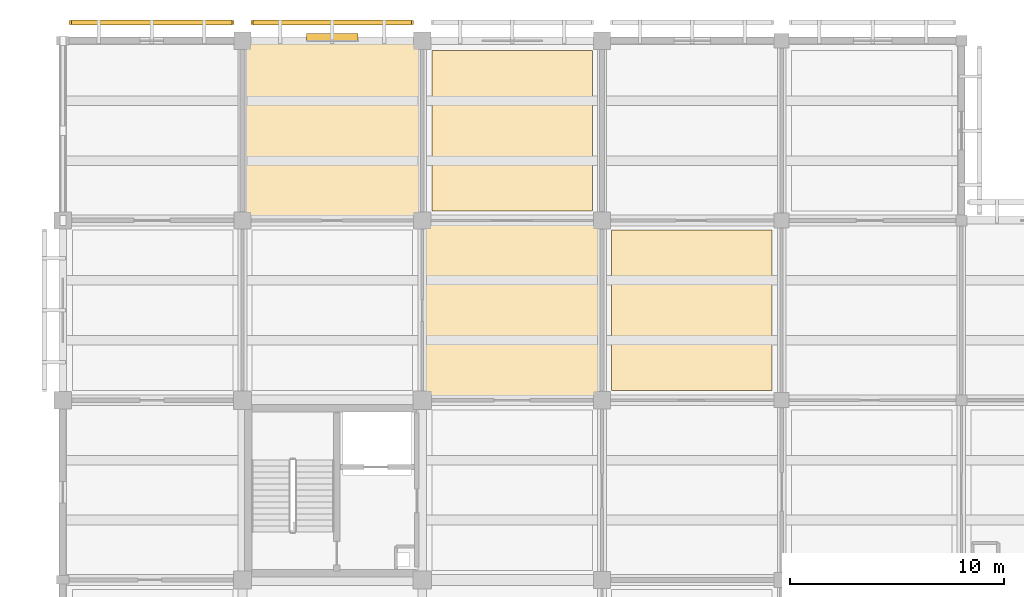
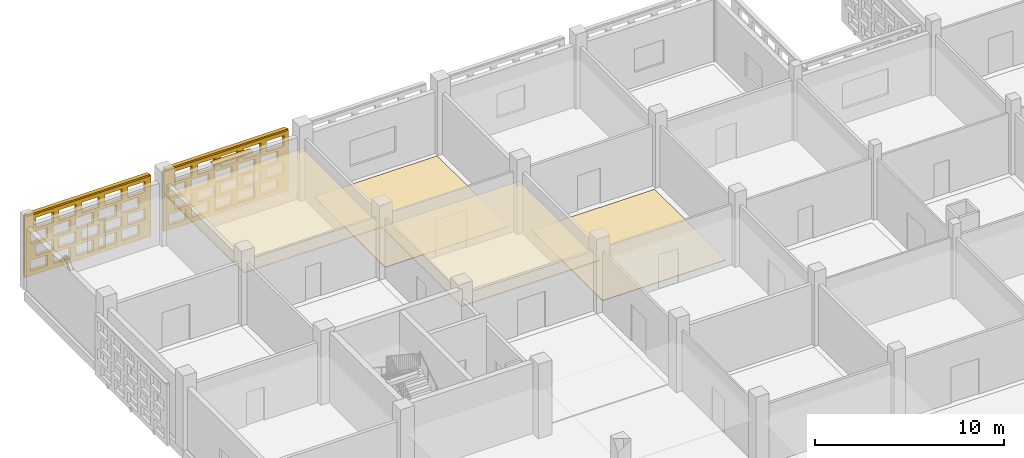
# One storey, part 100 of 129: 6 coverings, 3 shading devices, 40 openings.
"""IFC4 building model written with IfcOpenShell, lengths in metres."""

import ifcopenshell
import ifcopenshell.guid

model = None  # the IFC model being written
_history = None  # IfcOwnerHistory: only IFC2X3 demands one
_inside = {}  # id of a spatial element -> (the spatial element, [elements in it])
_under = {}  # id of a project, library or spatial element -> (it, [spatial elements below it])
_declared = {}  # id of a project -> (the project, [libraries it declares])
_typed = {}  # id of a type object -> (the type object, [elements of that type])
_made_of = {}  # id of a material, layer set ... -> (it, [elements and type objects made of it])


def new_model(schema):
    """Start an empty IFC model of exactly this schema.

    Asked for "IFC4X3", IfcOpenShell would pick the latest addendum, in which some entities
    have other attributes; the version numbers below select the first issue.
    IFC2X3 requires an IfcOwnerHistory on every rooted entity: one is made here for all.
    """
    global model, _history
    if schema == "IFC4X3":
        model = ifcopenshell.file(schema_version=(4, 3, 0, 0))
    else:
        model = ifcopenshell.file(schema=schema)
    _inside.clear()
    _under.clear()
    _declared.clear()
    _typed.clear()
    _made_of.clear()
    _history = None
    if model.schema == "IFC2X3":
        org = make("IfcOrganization", Name="unknown")
        user = make(
            "IfcPersonAndOrganization",
            ThePerson=make("IfcPerson", FamilyName="unknown"),
            TheOrganization=org,
        )
        app = make(
            "IfcApplication",
            ApplicationDeveloper=org,
            Version="unknown",
            ApplicationFullName="unknown",
            ApplicationIdentifier="unknown",
        )
        _history = make(
            "IfcOwnerHistory",
            OwningUser=user,
            OwningApplication=app,
            ChangeAction="ADDED",
            CreationDate=0,
        )
    return model


def make(cls, **values):
    """One entity of the class cls with the attributes given. An attribute that is None is left unset."""
    return model.create_entity(
        cls, **{name: value for name, value in values.items() if value is not None}
    )


def rooted(cls, **values):
    """An entity with a GlobalId (a new one), such as an element, a storey or a relation."""
    return make(cls, GlobalId=ifcopenshell.guid.new(), OwnerHistory=_history, **values)


def si_unit(unit_type, name, prefix=None):
    """IfcSIUnit, for example si_unit("LENGTHUNIT", "METRE", prefix="MILLI")."""
    return make("IfcSIUnit", UnitType=unit_type, Prefix=prefix, Name=name)


def assignment(units):
    """IfcUnitAssignment: the units of a project."""
    return None if units is None else make("IfcUnitAssignment", Units=units)


def point(xyz):
    """IfcCartesianPoint."""
    return None if xyz is None else make("IfcCartesianPoint", Coordinates=xyz)


def direction(xyz):
    """IfcDirection."""
    return None if xyz is None else make("IfcDirection", DirectionRatios=xyz)


def frame(location, z_axis=None, x_axis=None):
    """IfcAxis2Placement3D, a coordinate frame: its origin and axes. An axis left out is left unset."""
    return make(
        "IfcAxis2Placement3D",
        Location=point(location),
        Axis=direction(z_axis),
        RefDirection=direction(x_axis),
    )


def frame_2d(location, x_axis=None):
    """IfcAxis2Placement2D, a coordinate frame in the plane: its origin and x axis."""
    return make(
        "IfcAxis2Placement2D", Location=point(location), RefDirection=direction(x_axis)
    )


def origin():
    """The frame at (0, 0, 0) with its axes left unset."""
    return frame((0.0, 0.0, 0.0))


def origin_2d():
    """The frame at (0, 0) in the plane with its x axis left unset."""
    return frame_2d((0.0, 0.0))


def place(relative_to, where):
    """IfcLocalPlacement: puts the frame where relative to a parent placement (None: the world)."""
    return make(
        "IfcLocalPlacement", PlacementRelTo=relative_to, RelativePlacement=where
    )


def context(
    kind, dimensions, precision=None, world=None, true_north=None, identifier=None
):
    """IfcGeometricRepresentationContext, for example the 3D "Model" context."""
    return make(
        "IfcGeometricRepresentationContext",
        ContextIdentifier=identifier,
        ContextType=kind,
        CoordinateSpaceDimension=dimensions,
        Precision=precision,
        WorldCoordinateSystem=world,
        TrueNorth=true_north,
    )


def subcontext(parent, identifier, kind, view, scale=None):
    """IfcGeometricRepresentationSubContext, for example "Body" below "Model"."""
    return make(
        "IfcGeometricRepresentationSubContext",
        ContextIdentifier=identifier,
        ContextType=kind,
        ParentContext=parent,
        TargetScale=scale,
        TargetView=view,
    )


def project(units=None, contexts=None):
    """IfcProject with its units and contexts."""
    return rooted(
        "IfcProject",
        Name="project",
        RepresentationContexts=contexts,
        UnitsInContext=assignment(units),
    )


def spatial(cls, under=None, at=None, **own):
    """A site, building, storey or space (cls), placed at a placement, below another one or the project."""
    s = rooted(cls, ObjectPlacement=at, **own)
    if under is not None:
        _under.setdefault(under.id(), (under, []))[1].append(s)
    return s


def profile(cls, at=None, kind="AREA", **sizes):
    """A parametric profile (cls). Its sizes go by their IFC names, for example OverallWidth=200.0."""
    return make(cls, ProfileType=kind, Position=at, **sizes)


def rectangle(**sizes):
    """IfcRectangleProfileDef."""
    return profile("IfcRectangleProfileDef", **sizes)


def extrude(swept, where, along, depth):
    """IfcExtrudedAreaSolid: the profile swept, set in the frame where, extruded along a direction by depth."""
    return make(
        "IfcExtrudedAreaSolid",
        SweptArea=swept,
        Position=where,
        ExtrudedDirection=direction(along),
        Depth=depth,
    )


def shape(context_of_items, identifier, shape_type, items):
    """IfcShapeRepresentation: the items that make up one representation, for example the "Body"."""
    return make(
        "IfcShapeRepresentation",
        ContextOfItems=context_of_items,
        RepresentationIdentifier=identifier,
        RepresentationType=shape_type,
        Items=items,
    )


def material(Name=None, Category=None):
    """IfcMaterial."""
    return make("IfcMaterial", Name=Name, Category=Category)


def layer(
    of_material, thickness, ventilated=None, Name=None, Category=None, Priority=None
):
    """IfcMaterialLayer: one layer of a wall or slab, of a material (None: an air gap)."""
    return make(
        "IfcMaterialLayer",
        Material=of_material,
        LayerThickness=thickness,
        IsVentilated=ventilated,
        Name=Name,
        Category=Category,
        Priority=Priority,
    )


def layer_set(layers, Name=None):
    """IfcMaterialLayerSet."""
    return make("IfcMaterialLayerSet", MaterialLayers=layers, LayerSetName=Name)


def made_of(thing, what):
    """Note that an element or type object is made of a material, layer set ...; save() writes the relation."""
    if what is not None:
        _made_of.setdefault(what.id(), (what, []))[1].append(thing)
    return thing


def type_object(cls, material=None, **own):
    """A type object (cls), such as IfcWallType, which elements share."""
    return made_of(rooted(cls, **own), material)


def element(
    cls,
    number,
    at=None,
    inside=None,
    cuts=None,
    type_object=None,
    material=None,
    context=None,
    identifier="Body",
    shape_type=None,
    held_by="IfcProductDefinitionShape",
    body=None,
    shapes=None,
    **own,
):
    """One element of the class cls, such as IfcWall. Its Tag is "e" and its number.

    at: its placement. inside: the storey or other place that contains it. cuts: it is an
    opening in that element (IfcRelVoidsElement). A single representation is given by context,
    identifier, shape_type and body (its items); several are given by shapes. held_by: the class
    of the entity that holds the representations. save() writes the other relations.
    """
    e = rooted(cls, Tag="e%d" % number, ObjectPlacement=at, **own)
    if body is not None:
        shapes = [shape(context, identifier, shape_type, body)]
    if shapes is not None:
        e.Representation = make(held_by, Representations=shapes)
    if inside is not None:
        _inside.setdefault(inside.id(), (inside, []))[1].append(e)
    if cuts is not None:
        rooted(
            "IfcRelVoidsElement", RelatingBuildingElement=cuts, RelatedOpeningElement=e
        )
    if type_object is not None:
        _typed.setdefault(type_object.id(), (type_object, []))[1].append(e)
    return made_of(e, material)


def aggregate(whole, parts):
    """IfcRelAggregates: a whole, such as a stair, and the parts it consists of."""
    return rooted("IfcRelAggregates", RelatingObject=whole, RelatedObjects=parts)


def save(model, path):
    """Write the relations noted so far, then the file.

    IfcRelAggregates (storeys below a building ...), IfcRelContainedInSpatialStructure (elements
    in a storey), IfcRelDefinesByType, IfcRelAssociatesMaterial and IfcRelDeclares: one each for
    every whole, place, type object, material and project.
    """
    for whole, parts in _under.values():
        aggregate(whole, parts)
    for where, things in _inside.values():
        rooted(
            "IfcRelContainedInSpatialStructure",
            RelatedElements=things,
            RelatingStructure=where,
        )
    for kind, things in _typed.values():
        rooted("IfcRelDefinesByType", RelatedObjects=things, RelatingType=kind)
    for what, things in _made_of.values():
        rooted("IfcRelAssociatesMaterial", RelatedObjects=things, RelatingMaterial=what)
    for by, libraries in _declared.values():
        rooted("IfcRelDeclares", RelatingContext=by, RelatedDefinitions=libraries)
    model.write(path)


model = new_model("IFC4")

# Units and contexts
model_context = context("Model", 3, precision=1e-05, world=origin(), true_north=direction((0.0, 1.0)))
body_context = subcontext(model_context, "Body", "Model", "MODEL_VIEW")
ifc_project = project(units=[si_unit("LENGTHUNIT", "METRE"), si_unit("AREAUNIT", "SQUARE_METRE"), si_unit("VOLUMEUNIT", "CUBIC_METRE"), si_unit("PLANEANGLEUNIT", "RADIAN"), si_unit("MASSUNIT", "GRAM", prefix="KILO")], contexts=[model_context])

# Site, building, storey
site_placement = place(None, origin())
site = spatial("IfcSite", under=ifc_project, at=site_placement, CompositionType="ELEMENT")
building_placement = place(site_placement, origin())
building = spatial("IfcBuilding", under=site, at=building_placement, Name="Varnapada Polytechnic", CompositionType="ELEMENT")
storey_placement = place(building_placement, origin())
storey = spatial("IfcBuildingStorey", under=building, at=storey_placement, Name="L00", CompositionType="ELEMENT", Elevation=0.0)

# Coverings
ifc_material_1 = material(Name="Acoustic Rubber Seminar Flooring")
ifc_layer_1 = layer(ifc_material_1, 0.0400390625)
ifc_layer_set_1 = layer_set([ifc_layer_1], Name="Acoustic Rubber Seminar Flooring")
covering_type_1 = type_object("IfcCoveringType", Name="Floor Finish FLR-06", PredefinedType="FLOORING", material=ifc_layer_set_1)
for number, where, z_axis, x_axis, name in (
    (1, (21.0, 121.800048828125, 0.0), (0.0, 0.0, 1.0), (1.0, 0.0, 0.0), "L00 floor finish panel (3,15)"),
    (2, (29.39990234375, 113.39990234375, 0.0), (0.0, 0.0, 1.0), (1.0, 0.0, 0.0), "L00 floor finish panel (4,14)"),
):
    element("IfcCovering", number, at=place(storey_placement, frame(where, z_axis=z_axis, x_axis=x_axis)), inside=storey, type_object=covering_type_1, Name=name, PredefinedType="FLOORING", context=body_context, shape_type="SweptSolid", body=[
        extrude(rectangle(XDim=7.5, YDim=7.5, at=origin_2d()), origin(), (0.0, 0.0, 1.0), 0.0400390625),
    ])

# Shading device
ifc_material_2 = material(Name="Anodised aluminium", Category="aluminium")
ifc_layer_2 = layer(ifc_material_2, 0.35009765625)
ifc_layer_set_2 = layer_set([ifc_layer_2], Name="Anodised aluminium")
shading_device_type_1 = type_object("IfcShadingDeviceType", Name="Solar Louvre LVR-01", PredefinedType="JALOUSIE", material=ifc_layer_set_2)
shading_device_1_placement = place(storey_placement, frame((12.60009765625, 126.179931640625, 3.760009765625), z_axis=(0.0, 0.0, 1.0), x_axis=(1.0, 0.0, 0.0)))
element("IfcShadingDevice", 3, at=shading_device_1_placement, inside=storey, type_object=shading_device_type_1, Name="L00 aluminium sun louvre 19", PredefinedType="JALOUSIE", context=body_context, shape_type="SweptSolid", body=[
    extrude(rectangle(XDim=2.39990234375, YDim=0.340087890625, at=origin_2d()), origin(), (0.0, 0.0, 1.0), 0.1201171875),
])

# Coverings
ifc_material_3 = material(Name="Perforated Timber Slatted Baffle Ceiling", Category="wood")
ifc_layer_3 = layer(ifc_material_3, 0.050048828125)
ifc_layer_set_3 = layer_set([ifc_layer_3], Name="Perforated Timber Slatted Baffle Ceiling")
covering_type_2 = type_object("IfcCoveringType", Name="Suspended Ceiling CLG-02", PredefinedType="CEILING", material=ifc_layer_set_3)
covering_1_placement = place(storey_placement, frame((12.60009765625, 121.800048828125, 3.02490234375), z_axis=(0.0, 0.0, 1.0), x_axis=(1.0, 0.0, 0.0)))
element("IfcCovering", 4, at=covering_1_placement, inside=storey, type_object=covering_type_2, Name="L00 suspended acoustic ceiling (2,15)", PredefinedType="CEILING", context=body_context, shape_type="SweptSolid", body=[
    extrude(rectangle(XDim=8.419921875, YDim=8.419921875, at=origin_2d()), origin(), (0.0, 0.0, 1.0), 0.050048828125),
])
ifc_material_4 = material(Name="Deep Acoustic Auditorium Cloud Baffle")
ifc_layer_4 = layer(ifc_material_4, 0.06494140625)
ifc_layer_set_4 = layer_set([ifc_layer_4], Name="Deep Acoustic Auditorium Cloud Baffle")
covering_type_3 = type_object("IfcCoveringType", Name="Suspended Ceiling CLG-07", PredefinedType="CEILING", material=ifc_layer_set_4)
covering_2_placement = place(storey_placement, frame((21.0, 113.39990234375, 3.017578125), z_axis=(0.0, 0.0, 1.0), x_axis=(1.0, 0.0, 0.0)))
element("IfcCovering", 5, at=covering_2_placement, inside=storey, type_object=covering_type_3, Name="L00 suspended acoustic ceiling (3,14)", PredefinedType="CEILING", context=body_context, shape_type="SweptSolid", body=[
    extrude(rectangle(XDim=8.419921875, YDim=8.419921875, at=origin_2d()), origin(), (0.0, 0.0, 1.0), 0.06494140625),
])

# Covering, openings
ifc_material_5 = material(Name="Earth-toned architectural terracotta screen block", Category="masonry")
ifc_layer_5 = layer(ifc_material_5, 0.1201171875)
ifc_layer_set_5 = layer_set([ifc_layer_5], Name="Earth-toned architectural terracotta screen block")
covering_type_4 = type_object("IfcCoveringType", Name="Terracotta Screen Cladding CLD-01", PredefinedType="CLADDING", material=ifc_layer_set_5)
covering_3_placement = place(storey_placement, frame((0.300048828125, 126.85009765625, 0.0), z_axis=(0.0, 0.0, 1.0), x_axis=(1.0, 0.0, 0.0)))
covering_3 = element("IfcCovering", 6, at=covering_3_placement, inside=storey, type_object=covering_type_4, Name="L00 perforated terracotta block screen (11)", PredefinedType="CLADDING", context=body_context, shape_type="SweptSolid", body=[
    extrude(rectangle(XDim=7.699951171875, YDim=0.179931640625, at=frame_2d((3.85009765625, 0.0))), origin(), (0.0, 0.0, 1.0), 3.919921875),
])
opening_1_placement = place(covering_3_placement, frame((0.35009765625, 0.0, 0.313720703125)))
element("IfcOpeningElement", 7, at=opening_1_placement, cuts=covering_3, Name="Screen perforation TBS-L00-010.1", PredefinedType="OPENING", context=body_context, shape_type="SweptSolid", body=[
    extrude(rectangle(XDim=1.0400390625, YDim=0.679931640625, at=frame_2d((0.52001953125, 0.33984375))), frame((0.0, 0.099853515625, 0.0), z_axis=(0.0, -1.0, 0.0), x_axis=(1.0, 0.0, 0.0)), (0.0, 0.0, 1.0), 0.199951171875),
])
opening_2_placement = place(covering_3_placement, frame((1.75, 0.0, 0.313720703125)))
element("IfcOpeningElement", 8, at=opening_2_placement, cuts=covering_3, Name="Screen perforation TBS-L00-010.2", PredefinedType="OPENING", context=body_context, shape_type="SweptSolid", body=[
    extrude(rectangle(XDim=1.0400390625, YDim=0.679931640625, at=frame_2d((0.52001953125, 0.33984375))), frame((0.0, 0.099853515625, 0.0), z_axis=(0.0, -1.0, 0.0), x_axis=(1.0, 0.0, 0.0)), (0.0, 0.0, 1.0), 0.199951171875),
])
opening_3_placement = place(covering_3_placement, frame((3.14990234375, 0.0, 0.313720703125)))
element("IfcOpeningElement", 9, at=opening_3_placement, cuts=covering_3, Name="Screen perforation TBS-L00-010.3", PredefinedType="OPENING", context=body_context, shape_type="SweptSolid", body=[
    extrude(rectangle(XDim=1.0400390625, YDim=0.679931640625, at=frame_2d((0.52001953125, 0.33984375))), frame((0.0, 0.099853515625, 0.0), z_axis=(0.0, -1.0, 0.0), x_axis=(1.0, 0.0, 0.0)), (0.0, 0.0, 1.0), 0.199951171875),
])
opening_4_placement = place(covering_3_placement, frame((4.550048828125, 0.0, 0.313720703125)))
element("IfcOpeningElement", 10, at=opening_4_placement, cuts=covering_3, Name="Screen perforation TBS-L00-010.4", PredefinedType="OPENING", context=body_context, shape_type="SweptSolid", body=[
    extrude(rectangle(XDim=1.0400390625, YDim=0.679931640625, at=frame_2d((0.52001953125, 0.33984375))), frame((0.0, 0.099853515625, 0.0), z_axis=(0.0, -1.0, 0.0), x_axis=(1.0, 0.0, 0.0)), (0.0, 0.0, 1.0), 0.199951171875),
])
opening_5_placement = place(covering_3_placement, frame((5.949951171875, 0.0, 0.313720703125)))
element("IfcOpeningElement", 11, at=opening_5_placement, cuts=covering_3, Name="Screen perforation TBS-L00-010.5", PredefinedType="OPENING", context=body_context, shape_type="SweptSolid", body=[
    extrude(rectangle(XDim=1.0400390625, YDim=0.679931640625, at=frame_2d((0.52001953125, 0.33984375))), frame((0.0, 0.099853515625, 0.0), z_axis=(0.0, -1.0, 0.0), x_axis=(1.0, 0.0, 0.0)), (0.0, 0.0, 1.0), 0.199951171875),
])
opening_6_placement = place(covering_3_placement, frame((0.7099609375, 0.0, 1.195556640625)))
element("IfcOpeningElement", 12, at=opening_6_placement, cuts=covering_3, Name="Screen perforation TBS-L00-010.6", PredefinedType="OPENING", context=body_context, shape_type="SweptSolid", body=[
    extrude(rectangle(XDim=1.0400390625, YDim=0.679931640625, at=frame_2d((0.52001953125, 0.33984375))), frame((0.0, 0.099853515625, 0.0), z_axis=(0.0, -1.0, 0.0), x_axis=(1.0, 0.0, 0.0)), (0.0, 0.0, 1.0), 0.199951171875),
])
opening_7_placement = place(covering_3_placement, frame((2.110107421875, 0.0, 1.195556640625)))
element("IfcOpeningElement", 13, at=opening_7_placement, cuts=covering_3, Name="Screen perforation TBS-L00-010.7", PredefinedType="OPENING", context=body_context, shape_type="SweptSolid", body=[
    extrude(rectangle(XDim=1.0400390625, YDim=0.679931640625, at=frame_2d((0.52001953125, 0.33984375))), frame((0.0, 0.099853515625, 0.0), z_axis=(0.0, -1.0, 0.0), x_axis=(1.0, 0.0, 0.0)), (0.0, 0.0, 1.0), 0.199951171875),
])
opening_8_placement = place(covering_3_placement, frame((3.510009765625, 0.0, 1.195556640625)))
element("IfcOpeningElement", 14, at=opening_8_placement, cuts=covering_3, Name="Screen perforation TBS-L00-010.8", PredefinedType="OPENING", context=body_context, shape_type="SweptSolid", body=[
    extrude(rectangle(XDim=1.0400390625, YDim=0.679931640625, at=frame_2d((0.52001953125, 0.33984375))), frame((0.0, 0.099853515625, 0.0), z_axis=(0.0, -1.0, 0.0), x_axis=(1.0, 0.0, 0.0)), (0.0, 0.0, 1.0), 0.199951171875),
])
opening_9_placement = place(covering_3_placement, frame((4.909912109375, 0.0, 1.195556640625)))
element("IfcOpeningElement", 15, at=opening_9_placement, cuts=covering_3, Name="Screen perforation TBS-L00-010.9", PredefinedType="OPENING", context=body_context, shape_type="SweptSolid", body=[
    extrude(rectangle(XDim=1.0400390625, YDim=0.679931640625, at=frame_2d((0.52001953125, 0.33984375))), frame((0.0, 0.099853515625, 0.0), z_axis=(0.0, -1.0, 0.0), x_axis=(1.0, 0.0, 0.0)), (0.0, 0.0, 1.0), 0.199951171875),
])
opening_10_placement = place(covering_3_placement, frame((6.31005859375, 0.0, 1.195556640625)))
element("IfcOpeningElement", 16, at=opening_10_placement, cuts=covering_3, Name="Screen perforation TBS-L00-010.10", PredefinedType="OPENING", context=body_context, shape_type="SweptSolid", body=[
    extrude(rectangle(XDim=1.0400390625, YDim=0.679931640625, at=frame_2d((0.52001953125, 0.33984375))), frame((0.0, 0.099853515625, 0.0), z_axis=(0.0, -1.0, 0.0), x_axis=(1.0, 0.0, 0.0)), (0.0, 0.0, 1.0), 0.199951171875),
])
opening_11_placement = place(covering_3_placement, frame((0.35009765625, 0.0, 2.07763671875)))
element("IfcOpeningElement", 17, at=opening_11_placement, cuts=covering_3, Name="Screen perforation TBS-L00-010.11", PredefinedType="OPENING", context=body_context, shape_type="SweptSolid", body=[
    extrude(rectangle(XDim=1.0400390625, YDim=0.679931640625, at=frame_2d((0.52001953125, 0.33984375))), frame((0.0, 0.099853515625, 0.0), z_axis=(0.0, -1.0, 0.0), x_axis=(1.0, 0.0, 0.0)), (0.0, 0.0, 1.0), 0.199951171875),
])
opening_12_placement = place(covering_3_placement, frame((1.75, 0.0, 2.07763671875)))
element("IfcOpeningElement", 18, at=opening_12_placement, cuts=covering_3, Name="Screen perforation TBS-L00-010.12", PredefinedType="OPENING", context=body_context, shape_type="SweptSolid", body=[
    extrude(rectangle(XDim=1.0400390625, YDim=0.679931640625, at=frame_2d((0.52001953125, 0.33984375))), frame((0.0, 0.099853515625, 0.0), z_axis=(0.0, -1.0, 0.0), x_axis=(1.0, 0.0, 0.0)), (0.0, 0.0, 1.0), 0.199951171875),
])
opening_13_placement = place(covering_3_placement, frame((3.14990234375, 0.0, 2.07763671875)))
element("IfcOpeningElement", 19, at=opening_13_placement, cuts=covering_3, Name="Screen perforation TBS-L00-010.13", PredefinedType="OPENING", context=body_context, shape_type="SweptSolid", body=[
    extrude(rectangle(XDim=1.0400390625, YDim=0.679931640625, at=frame_2d((0.52001953125, 0.33984375))), frame((0.0, 0.099853515625, 0.0), z_axis=(0.0, -1.0, 0.0), x_axis=(1.0, 0.0, 0.0)), (0.0, 0.0, 1.0), 0.199951171875),
])
opening_14_placement = place(covering_3_placement, frame((4.550048828125, 0.0, 2.07763671875)))
element("IfcOpeningElement", 20, at=opening_14_placement, cuts=covering_3, Name="Screen perforation TBS-L00-010.14", PredefinedType="OPENING", context=body_context, shape_type="SweptSolid", body=[
    extrude(rectangle(XDim=1.0400390625, YDim=0.679931640625, at=frame_2d((0.52001953125, 0.33984375))), frame((0.0, 0.099853515625, 0.0), z_axis=(0.0, -1.0, 0.0), x_axis=(1.0, 0.0, 0.0)), (0.0, 0.0, 1.0), 0.199951171875),
])
opening_15_placement = place(covering_3_placement, frame((5.949951171875, 0.0, 2.07763671875)))
element("IfcOpeningElement", 21, at=opening_15_placement, cuts=covering_3, Name="Screen perforation TBS-L00-010.15", PredefinedType="OPENING", context=body_context, shape_type="SweptSolid", body=[
    extrude(rectangle(XDim=1.0400390625, YDim=0.679931640625, at=frame_2d((0.52001953125, 0.33984375))), frame((0.0, 0.099853515625, 0.0), z_axis=(0.0, -1.0, 0.0), x_axis=(1.0, 0.0, 0.0)), (0.0, 0.0, 1.0), 0.199951171875),
])
opening_16_placement = place(covering_3_placement, frame((0.7099609375, 0.0, 2.959716796875)))
element("IfcOpeningElement", 22, at=opening_16_placement, cuts=covering_3, Name="Screen perforation TBS-L00-010.16", PredefinedType="OPENING", context=body_context, shape_type="SweptSolid", body=[
    extrude(rectangle(XDim=1.0400390625, YDim=0.679931640625, at=frame_2d((0.52001953125, 0.33984375))), frame((0.0, 0.099853515625, 0.0), z_axis=(0.0, -1.0, 0.0), x_axis=(1.0, 0.0, 0.0)), (0.0, 0.0, 1.0), 0.199951171875),
])
opening_17_placement = place(covering_3_placement, frame((2.110107421875, 0.0, 2.959716796875)))
element("IfcOpeningElement", 23, at=opening_17_placement, cuts=covering_3, Name="Screen perforation TBS-L00-010.17", PredefinedType="OPENING", context=body_context, shape_type="SweptSolid", body=[
    extrude(rectangle(XDim=1.0400390625, YDim=0.679931640625, at=frame_2d((0.52001953125, 0.33984375))), frame((0.0, 0.099853515625, 0.0), z_axis=(0.0, -1.0, 0.0), x_axis=(1.0, 0.0, 0.0)), (0.0, 0.0, 1.0), 0.199951171875),
])
opening_18_placement = place(covering_3_placement, frame((3.510009765625, 0.0, 2.959716796875)))
element("IfcOpeningElement", 24, at=opening_18_placement, cuts=covering_3, Name="Screen perforation TBS-L00-010.18", PredefinedType="OPENING", context=body_context, shape_type="SweptSolid", body=[
    extrude(rectangle(XDim=1.0400390625, YDim=0.679931640625, at=frame_2d((0.52001953125, 0.33984375))), frame((0.0, 0.099853515625, 0.0), z_axis=(0.0, -1.0, 0.0), x_axis=(1.0, 0.0, 0.0)), (0.0, 0.0, 1.0), 0.199951171875),
])
opening_19_placement = place(covering_3_placement, frame((4.909912109375, 0.0, 2.959716796875)))
element("IfcOpeningElement", 25, at=opening_19_placement, cuts=covering_3, Name="Screen perforation TBS-L00-010.19", PredefinedType="OPENING", context=body_context, shape_type="SweptSolid", body=[
    extrude(rectangle(XDim=1.0400390625, YDim=0.679931640625, at=frame_2d((0.52001953125, 0.33984375))), frame((0.0, 0.099853515625, 0.0), z_axis=(0.0, -1.0, 0.0), x_axis=(1.0, 0.0, 0.0)), (0.0, 0.0, 1.0), 0.199951171875),
])
opening_20_placement = place(covering_3_placement, frame((6.31005859375, 0.0, 2.959716796875)))
element("IfcOpeningElement", 26, at=opening_20_placement, cuts=covering_3, Name="Screen perforation TBS-L00-010.20", PredefinedType="OPENING", context=body_context, shape_type="SweptSolid", body=[
    extrude(rectangle(XDim=1.0400390625, YDim=0.679931640625, at=frame_2d((0.52001953125, 0.33984375))), frame((0.0, 0.099853515625, 0.0), z_axis=(0.0, -1.0, 0.0), x_axis=(1.0, 0.0, 0.0)), (0.0, 0.0, 1.0), 0.199951171875),
])

covering_4_placement = place(storey_placement, frame((8.800048828125, 126.85009765625, 0.0), z_axis=(0.0, 0.0, 1.0), x_axis=(1.0, 0.0, 0.0)))
covering_4 = element("IfcCovering", 27, at=covering_4_placement, inside=storey, type_object=covering_type_4, Name="L00 perforated terracotta block screen (19)", PredefinedType="CLADDING", context=body_context, shape_type="SweptSolid", body=[
    extrude(rectangle(XDim=7.599853515625, YDim=0.179931640625, at=frame_2d((3.7998046875, 0.0))), origin(), (0.0, 0.0, 1.0), 3.919921875),
])
opening_21_placement = place(covering_4_placement, frame((0.300048828125, 0.0, 0.313720703125)))
element("IfcOpeningElement", 28, at=opening_21_placement, cuts=covering_4, Name="Screen perforation TBS-L00-018.1", PredefinedType="OPENING", context=body_context, shape_type="SweptSolid", body=[
    extrude(rectangle(XDim=1.0400390625, YDim=0.679931640625, at=frame_2d((0.52001953125, 0.33984375))), frame((0.0, 0.099853515625, 0.0), z_axis=(0.0, -1.0, 0.0), x_axis=(1.0, 0.0, 0.0)), (0.0, 0.0, 1.0), 0.199951171875),
])
opening_22_placement = place(covering_4_placement, frame((1.699951171875, 0.0, 0.313720703125)))
element("IfcOpeningElement", 29, at=opening_22_placement, cuts=covering_4, Name="Screen perforation TBS-L00-018.2", PredefinedType="OPENING", context=body_context, shape_type="SweptSolid", body=[
    extrude(rectangle(XDim=1.0400390625, YDim=0.679931640625, at=frame_2d((0.52001953125, 0.33984375))), frame((0.0, 0.099853515625, 0.0), z_axis=(0.0, -1.0, 0.0), x_axis=(1.0, 0.0, 0.0)), (0.0, 0.0, 1.0), 0.199951171875),
])
opening_23_placement = place(covering_4_placement, frame((3.10009765625, 0.0, 0.313720703125)))
element("IfcOpeningElement", 30, at=opening_23_placement, cuts=covering_4, Name="Screen perforation TBS-L00-018.3", PredefinedType="OPENING", context=body_context, shape_type="SweptSolid", body=[
    extrude(rectangle(XDim=1.0400390625, YDim=0.679931640625, at=frame_2d((0.52001953125, 0.33984375))), frame((0.0, 0.099853515625, 0.0), z_axis=(0.0, -1.0, 0.0), x_axis=(1.0, 0.0, 0.0)), (0.0, 0.0, 1.0), 0.199951171875),
])
opening_24_placement = place(covering_4_placement, frame((4.5, 0.0, 0.313720703125)))
element("IfcOpeningElement", 31, at=opening_24_placement, cuts=covering_4, Name="Screen perforation TBS-L00-018.4", PredefinedType="OPENING", context=body_context, shape_type="SweptSolid", body=[
    extrude(rectangle(XDim=1.0400390625, YDim=0.679931640625, at=frame_2d((0.52001953125, 0.33984375))), frame((0.0, 0.099853515625, 0.0), z_axis=(0.0, -1.0, 0.0), x_axis=(1.0, 0.0, 0.0)), (0.0, 0.0, 1.0), 0.199951171875),
])
opening_25_placement = place(covering_4_placement, frame((5.89990234375, 0.0, 0.313720703125)))
element("IfcOpeningElement", 32, at=opening_25_placement, cuts=covering_4, Name="Screen perforation TBS-L00-018.5", PredefinedType="OPENING", context=body_context, shape_type="SweptSolid", body=[
    extrude(rectangle(XDim=1.0400390625, YDim=0.679931640625, at=frame_2d((0.52001953125, 0.33984375))), frame((0.0, 0.099853515625, 0.0), z_axis=(0.0, -1.0, 0.0), x_axis=(1.0, 0.0, 0.0)), (0.0, 0.0, 1.0), 0.199951171875),
])
opening_26_placement = place(covering_4_placement, frame((0.659912109375, 0.0, 1.195556640625)))
element("IfcOpeningElement", 33, at=opening_26_placement, cuts=covering_4, Name="Screen perforation TBS-L00-018.6", PredefinedType="OPENING", context=body_context, shape_type="SweptSolid", body=[
    extrude(rectangle(XDim=1.0400390625, YDim=0.679931640625, at=frame_2d((0.52001953125, 0.33984375))), frame((0.0, 0.099853515625, 0.0), z_axis=(0.0, -1.0, 0.0), x_axis=(1.0, 0.0, 0.0)), (0.0, 0.0, 1.0), 0.199951171875),
])
opening_27_placement = place(covering_4_placement, frame((2.06005859375, 0.0, 1.195556640625)))
element("IfcOpeningElement", 34, at=opening_27_placement, cuts=covering_4, Name="Screen perforation TBS-L00-018.7", PredefinedType="OPENING", context=body_context, shape_type="SweptSolid", body=[
    extrude(rectangle(XDim=1.0400390625, YDim=0.679931640625, at=frame_2d((0.52001953125, 0.33984375))), frame((0.0, 0.099853515625, 0.0), z_axis=(0.0, -1.0, 0.0), x_axis=(1.0, 0.0, 0.0)), (0.0, 0.0, 1.0), 0.199951171875),
])
opening_28_placement = place(covering_4_placement, frame((3.4599609375, 0.0, 1.195556640625)))
element("IfcOpeningElement", 35, at=opening_28_placement, cuts=covering_4, Name="Screen perforation TBS-L00-018.8", PredefinedType="OPENING", context=body_context, shape_type="SweptSolid", body=[
    extrude(rectangle(XDim=1.0400390625, YDim=0.679931640625, at=frame_2d((0.52001953125, 0.33984375))), frame((0.0, 0.099853515625, 0.0), z_axis=(0.0, -1.0, 0.0), x_axis=(1.0, 0.0, 0.0)), (0.0, 0.0, 1.0), 0.199951171875),
])
opening_29_placement = place(covering_4_placement, frame((4.860107421875, 0.0, 1.195556640625)))
element("IfcOpeningElement", 36, at=opening_29_placement, cuts=covering_4, Name="Screen perforation TBS-L00-018.9", PredefinedType="OPENING", context=body_context, shape_type="SweptSolid", body=[
    extrude(rectangle(XDim=1.0400390625, YDim=0.679931640625, at=frame_2d((0.52001953125, 0.33984375))), frame((0.0, 0.099853515625, 0.0), z_axis=(0.0, -1.0, 0.0), x_axis=(1.0, 0.0, 0.0)), (0.0, 0.0, 1.0), 0.199951171875),
])
opening_30_placement = place(covering_4_placement, frame((6.260009765625, 0.0, 1.195556640625)))
element("IfcOpeningElement", 37, at=opening_30_placement, cuts=covering_4, Name="Screen perforation TBS-L00-018.10", PredefinedType="OPENING", context=body_context, shape_type="SweptSolid", body=[
    extrude(rectangle(XDim=1.0400390625, YDim=0.679931640625, at=frame_2d((0.52001953125, 0.33984375))), frame((0.0, 0.099853515625, 0.0), z_axis=(0.0, -1.0, 0.0), x_axis=(1.0, 0.0, 0.0)), (0.0, 0.0, 1.0), 0.199951171875),
])
opening_31_placement = place(covering_4_placement, frame((0.300048828125, 0.0, 2.07763671875)))
element("IfcOpeningElement", 38, at=opening_31_placement, cuts=covering_4, Name="Screen perforation TBS-L00-018.11", PredefinedType="OPENING", context=body_context, shape_type="SweptSolid", body=[
    extrude(rectangle(XDim=1.0400390625, YDim=0.679931640625, at=frame_2d((0.52001953125, 0.33984375))), frame((0.0, 0.099853515625, 0.0), z_axis=(0.0, -1.0, 0.0), x_axis=(1.0, 0.0, 0.0)), (0.0, 0.0, 1.0), 0.199951171875),
])
opening_32_placement = place(covering_4_placement, frame((1.699951171875, 0.0, 2.07763671875)))
element("IfcOpeningElement", 39, at=opening_32_placement, cuts=covering_4, Name="Screen perforation TBS-L00-018.12", PredefinedType="OPENING", context=body_context, shape_type="SweptSolid", body=[
    extrude(rectangle(XDim=1.0400390625, YDim=0.679931640625, at=frame_2d((0.52001953125, 0.33984375))), frame((0.0, 0.099853515625, 0.0), z_axis=(0.0, -1.0, 0.0), x_axis=(1.0, 0.0, 0.0)), (0.0, 0.0, 1.0), 0.199951171875),
])
opening_33_placement = place(covering_4_placement, frame((3.10009765625, 0.0, 2.07763671875)))
element("IfcOpeningElement", 40, at=opening_33_placement, cuts=covering_4, Name="Screen perforation TBS-L00-018.13", PredefinedType="OPENING", context=body_context, shape_type="SweptSolid", body=[
    extrude(rectangle(XDim=1.0400390625, YDim=0.679931640625, at=frame_2d((0.52001953125, 0.33984375))), frame((0.0, 0.099853515625, 0.0), z_axis=(0.0, -1.0, 0.0), x_axis=(1.0, 0.0, 0.0)), (0.0, 0.0, 1.0), 0.199951171875),
])
opening_34_placement = place(covering_4_placement, frame((4.5, 0.0, 2.07763671875)))
element("IfcOpeningElement", 41, at=opening_34_placement, cuts=covering_4, Name="Screen perforation TBS-L00-018.14", PredefinedType="OPENING", context=body_context, shape_type="SweptSolid", body=[
    extrude(rectangle(XDim=1.0400390625, YDim=0.679931640625, at=frame_2d((0.52001953125, 0.33984375))), frame((0.0, 0.099853515625, 0.0), z_axis=(0.0, -1.0, 0.0), x_axis=(1.0, 0.0, 0.0)), (0.0, 0.0, 1.0), 0.199951171875),
])
opening_35_placement = place(covering_4_placement, frame((5.89990234375, 0.0, 2.07763671875)))
element("IfcOpeningElement", 42, at=opening_35_placement, cuts=covering_4, Name="Screen perforation TBS-L00-018.15", PredefinedType="OPENING", context=body_context, shape_type="SweptSolid", body=[
    extrude(rectangle(XDim=1.0400390625, YDim=0.679931640625, at=frame_2d((0.52001953125, 0.33984375))), frame((0.0, 0.099853515625, 0.0), z_axis=(0.0, -1.0, 0.0), x_axis=(1.0, 0.0, 0.0)), (0.0, 0.0, 1.0), 0.199951171875),
])
opening_36_placement = place(covering_4_placement, frame((0.659912109375, 0.0, 2.959716796875)))
element("IfcOpeningElement", 43, at=opening_36_placement, cuts=covering_4, Name="Screen perforation TBS-L00-018.16", PredefinedType="OPENING", context=body_context, shape_type="SweptSolid", body=[
    extrude(rectangle(XDim=1.0400390625, YDim=0.679931640625, at=frame_2d((0.52001953125, 0.33984375))), frame((0.0, 0.099853515625, 0.0), z_axis=(0.0, -1.0, 0.0), x_axis=(1.0, 0.0, 0.0)), (0.0, 0.0, 1.0), 0.199951171875),
])
opening_37_placement = place(covering_4_placement, frame((2.06005859375, 0.0, 2.959716796875)))
element("IfcOpeningElement", 44, at=opening_37_placement, cuts=covering_4, Name="Screen perforation TBS-L00-018.17", PredefinedType="OPENING", context=body_context, shape_type="SweptSolid", body=[
    extrude(rectangle(XDim=1.0400390625, YDim=0.679931640625, at=frame_2d((0.52001953125, 0.33984375))), frame((0.0, 0.099853515625, 0.0), z_axis=(0.0, -1.0, 0.0), x_axis=(1.0, 0.0, 0.0)), (0.0, 0.0, 1.0), 0.199951171875),
])
opening_38_placement = place(covering_4_placement, frame((3.4599609375, 0.0, 2.959716796875)))
element("IfcOpeningElement", 45, at=opening_38_placement, cuts=covering_4, Name="Screen perforation TBS-L00-018.18", PredefinedType="OPENING", context=body_context, shape_type="SweptSolid", body=[
    extrude(rectangle(XDim=1.0400390625, YDim=0.679931640625, at=frame_2d((0.52001953125, 0.33984375))), frame((0.0, 0.099853515625, 0.0), z_axis=(0.0, -1.0, 0.0), x_axis=(1.0, 0.0, 0.0)), (0.0, 0.0, 1.0), 0.199951171875),
])
opening_39_placement = place(covering_4_placement, frame((4.860107421875, 0.0, 2.959716796875)))
element("IfcOpeningElement", 46, at=opening_39_placement, cuts=covering_4, Name="Screen perforation TBS-L00-018.19", PredefinedType="OPENING", context=body_context, shape_type="SweptSolid", body=[
    extrude(rectangle(XDim=1.0400390625, YDim=0.679931640625, at=frame_2d((0.52001953125, 0.33984375))), frame((0.0, 0.099853515625, 0.0), z_axis=(0.0, -1.0, 0.0), x_axis=(1.0, 0.0, 0.0)), (0.0, 0.0, 1.0), 0.199951171875),
])
opening_40_placement = place(covering_4_placement, frame((6.260009765625, 0.0, 2.959716796875)))
element("IfcOpeningElement", 47, at=opening_40_placement, cuts=covering_4, Name="Screen perforation TBS-L00-018.20", PredefinedType="OPENING", context=body_context, shape_type="SweptSolid", body=[
    extrude(rectangle(XDim=1.0400390625, YDim=0.679931640625, at=frame_2d((0.52001953125, 0.33984375))), frame((0.0, 0.099853515625, 0.0), z_axis=(0.0, -1.0, 0.0), x_axis=(1.0, 0.0, 0.0)), (0.0, 0.0, 1.0), 0.199951171875),
])

# Shading devices
ifc_layer_6 = layer(ifc_material_5, 0.179931640625)
ifc_layer_set_6 = layer_set([ifc_layer_6], Name="Earth-toned architectural terracotta screen block")
shading_device_type_2 = type_object("IfcShadingDeviceType", Name="Terracotta Screen SCR-02", PredefinedType="USERDEFINED", material=ifc_layer_set_6)
shading_device_2_placement = place(storey_placement, frame((4.14990234375, 126.85009765625, 3.909912109375), z_axis=(0.0, 0.0, 1.0), x_axis=(1.0, 0.0, 0.0)))
element("IfcShadingDevice", 48, at=shading_device_2_placement, inside=storey, type_object=shading_device_type_2, Name="L00 perforated terracotta screen hood 8", ObjectType="SCREEN", PredefinedType="USERDEFINED", context=body_context, shape_type="SweptSolid", body=[
    extrude(rectangle(XDim=7.5, YDim=0.239990234375, at=origin_2d()), origin(), (0.0, 0.0, 1.0), 0.10009765625),
])
shading_device_3_placement = place(storey_placement, frame((12.60009765625, 126.85009765625, 3.909912109375), z_axis=(0.0, 0.0, 1.0), x_axis=(1.0, 0.0, 0.0)))
element("IfcShadingDevice", 49, at=shading_device_3_placement, inside=storey, type_object=shading_device_type_2, Name="L00 perforated terracotta screen hood 15", ObjectType="SCREEN", PredefinedType="USERDEFINED", context=body_context, shape_type="SweptSolid", body=[
    extrude(rectangle(XDim=7.39990234375, YDim=0.239990234375, at=origin_2d()), origin(), (0.0, 0.0, 1.0), 0.10009765625),
])

save(model, "model.ifc")
